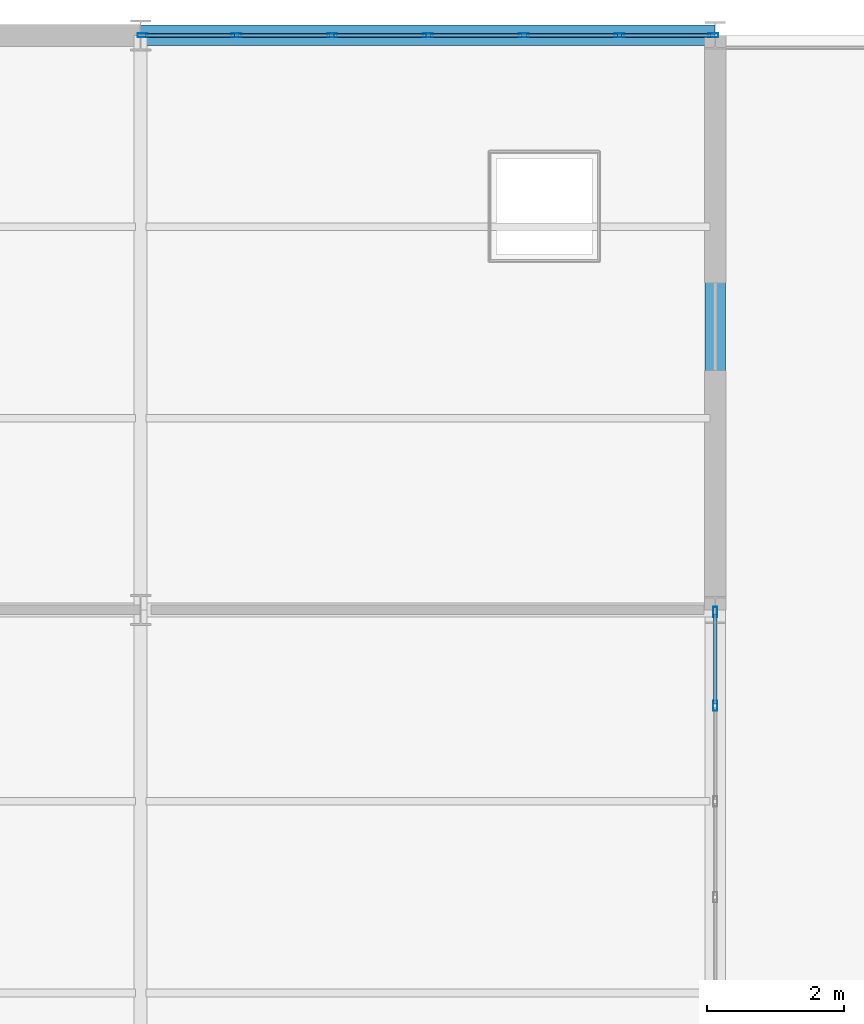
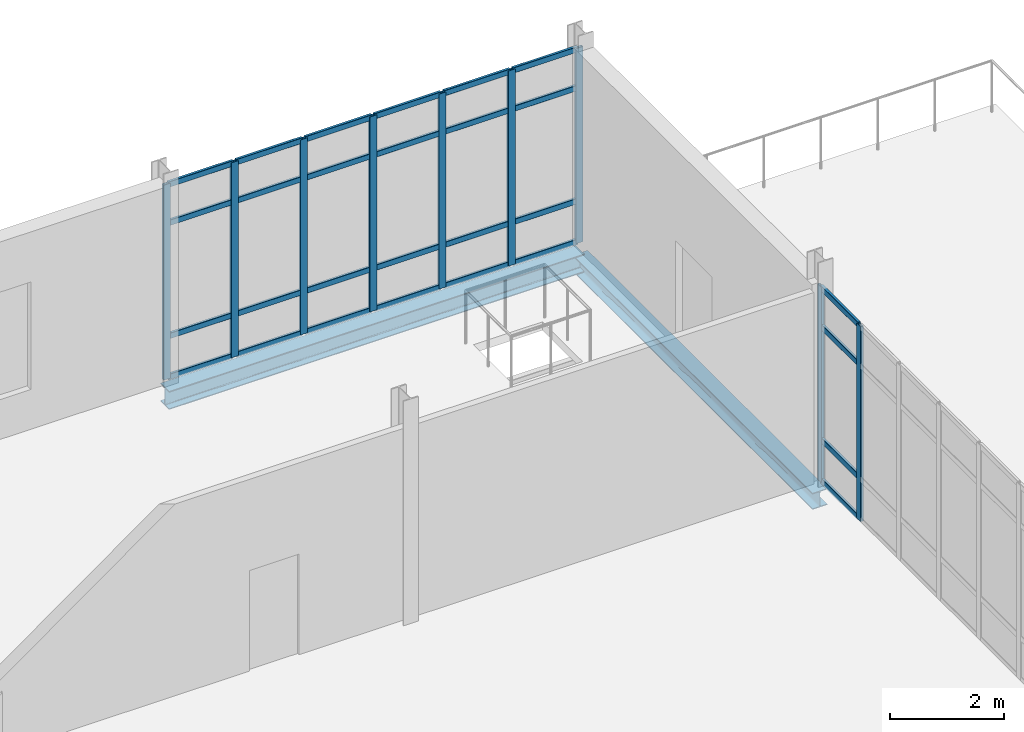
# One storey, part 20 of 28: 37 members, 2 beams, 2 elements without a shape of their own.
"""IFC4 building model written with IfcOpenShell, lengths in metres."""

from ifc_helpers import new_model, si_unit, direction, frame, origin, origin_2d, place, context, subcontext, project, spatial, hollow_rectangle, i_section, extrude, material, layer, layer_set, material_profile, profile_set, type_object, element, aggregate, save


model = new_model("IFC4")

# Units and contexts
model_context = context("Model", 3, precision=1e-05, world=origin(), true_north=direction((0.0, 1.0)))
body_context = subcontext(model_context, "Body", "Model", "MODEL_VIEW")
ifc_project = project(units=[si_unit("LENGTHUNIT", "METRE"), si_unit("AREAUNIT", "SQUARE_METRE"), si_unit("VOLUMEUNIT", "CUBIC_METRE"), si_unit("PLANEANGLEUNIT", "RADIAN"), si_unit("MASSUNIT", "GRAM", prefix="KILO")], contexts=[model_context])

# Site, building, storey
site_placement = place(None, origin())
site = spatial("IfcSite", under=ifc_project, at=site_placement, CompositionType="ELEMENT")
building_placement = place(site_placement, origin())
building = spatial("IfcBuilding", under=site, at=building_placement, Name="Qalvenar Corner Mobility Hub", CompositionType="ELEMENT")
storey_placement = place(building_placement, frame((0.0, 0.0, 21.60009765625)))
storey = spatial("IfcBuildingStorey", under=building, at=storey_placement, Name="L05", CompositionType="ELEMENT", Elevation=21.60009765625)

# Beams
ifc_material_1 = material(Name="Steel S355", Category="steel")
ifc_material_profile_1 = material_profile(ifc_material_1, i_section(OverallWidth=0.300048828125, OverallDepth=0.35009765625, WebThickness=0.010009765625, FlangeThickness=0.017578125, FilletRadius=0.027099609375, at=origin_2d()), Name="HEA360")
ifc_profile_set_1 = profile_set([ifc_material_profile_1], Name="Steel S355")
beam_type_1 = type_object("IfcBeamType", Name="BM-SPN360", PredefinedType="SPANDREL", material=ifc_profile_set_1)
beam_1_placement = place(storey_placement, frame((42.0, 33.60009765625, -0.4169921875), z_axis=(0.0, 1.0, 0.0), x_axis=(-1.0, 0.0, 0.0)))
element("IfcBeam", 1, at=beam_1_placement, inside=storey, type_object=beam_type_1, Name="Primary Steel Girder GY-3004", PredefinedType="SPANDREL", context=body_context, shape_type="SweptSolid", body=[
    extrude(i_section(OverallWidth=0.300048828125, OverallDepth=0.35009765625, WebThickness=0.010009765625, FlangeThickness=0.017578125, FilletRadius=0.027099609375, at=origin_2d()), origin(), (0.0, 0.0, 1.0), 8.39990234375),
])
ifc_material_profile_2 = material_profile(ifc_material_1, i_section(OverallWidth=0.300048828125, OverallDepth=0.389892578125, WebThickness=0.010986328125, FlangeThickness=0.01904296875, FilletRadius=0.027099609375, at=origin_2d()), Name="HEA400")
ifc_profile_set_2 = profile_set([ifc_material_profile_2], Name="Steel S355")
beam_type_2 = type_object("IfcBeamType", Name="BM-SPN400", PredefinedType="SPANDREL", material=ifc_profile_set_2)
beam_2_placement = place(storey_placement, frame((33.60009765625, 42.0, -0.375), z_axis=(1.0, 0.0, 0.0), x_axis=(0.0, 1.0, 0.0)))
element("IfcBeam", 2, at=beam_2_placement, inside=storey, type_object=beam_type_2, Name="Primary Steel Girder GX-2974", PredefinedType="SPANDREL", context=body_context, shape_type="SweptSolid", body=[
    extrude(i_section(OverallWidth=0.300048828125, OverallDepth=0.389892578125, WebThickness=0.010986328125, FlangeThickness=0.01904296875, FilletRadius=0.027099609375, at=origin_2d()), origin(), (0.0, 0.0, 1.0), 8.39990234375),
])

# Curtain wall, members
ifc_material_2 = material(Name="Anodised Aluminium and Low-E Glazing", Category="aluminium")
ifc_layer_1 = layer(ifc_material_2, 0.14990234375)
ifc_layer_set_1 = layer_set([ifc_layer_1], Name="Anodised Aluminium and Low-E Glazing")
curtain_wall_type_1 = type_object("IfcCurtainWallType", Name="CW-CIV-84X40", PredefinedType="NOTDEFINED", material=ifc_layer_set_1)
curtain_wall_1_placement = place(storey_placement, origin())
curtain_wall_1 = element("IfcCurtainWall", 3, at=curtain_wall_1_placement, inside=storey, type_object=curtain_wall_type_1, Name="Glazed Curtain Wall CW-V3-L05-N4", PredefinedType="NOTDEFINED")
ifc_material_3 = material(Name="Anodised Aluminium 6063-T6", Category="aluminium")
ifc_material_profile_3 = material_profile(ifc_material_3, hollow_rectangle(XDim=0.06005859375, YDim=0.14990234375, WallThickness=0.00390625, InnerFilletRadius=0.00390625, OuterFilletRadius=0.008056640625, at=origin_2d()), Name="RHS150x60x4")
ifc_profile_set_3 = profile_set([ifc_material_profile_3], Name="Anodised Aluminium 6063-T6")
member_type_1 = type_object("IfcMemberType", Name="CW-MUL150", PredefinedType="MULLION", material=ifc_profile_set_3)
member_1_placement = place(storey_placement, frame((41.969970703125, 42.0, 0.0), z_axis=(0.0, 0.0, 1.0), x_axis=(0.0, -1.0, 0.0)))
member_1 = element("IfcMember", 4, at=member_1_placement, type_object=member_type_1, Name="CW-05 mullion 1", PredefinedType="MULLION", context=body_context, shape_type="SweptSolid", body=[
    extrude(hollow_rectangle(XDim=0.06005859375, YDim=0.14990234375, WallThickness=0.00390625, InnerFilletRadius=0.00390625, OuterFilletRadius=0.008056640625, at=origin_2d()), origin(), (0.0, 0.0, 1.0), 4.169921875),
])
member_2_placement = place(storey_placement, frame((40.60009765625, 42.0, 0.0), z_axis=(0.0, 0.0, 1.0), x_axis=(0.0, -1.0, 0.0)))
member_2 = element("IfcMember", 5, at=member_2_placement, type_object=member_type_1, Name="CW-05 mullion 2", PredefinedType="MULLION", context=body_context, shape_type="SweptSolid", body=[
    extrude(hollow_rectangle(XDim=0.06005859375, YDim=0.14990234375, WallThickness=0.00390625, InnerFilletRadius=0.00390625, OuterFilletRadius=0.008056640625, at=origin_2d()), origin(), (0.0, 0.0, 1.0), 4.169921875),
])
member_3_placement = place(storey_placement, frame((39.199951171875, 42.0, 0.0), z_axis=(0.0, 0.0, 1.0), x_axis=(0.0, -1.0, 0.0)))
member_3 = element("IfcMember", 6, at=member_3_placement, type_object=member_type_1, Name="CW-05 mullion 3", PredefinedType="MULLION", context=body_context, shape_type="SweptSolid", body=[
    extrude(hollow_rectangle(XDim=0.06005859375, YDim=0.14990234375, WallThickness=0.00390625, InnerFilletRadius=0.00390625, OuterFilletRadius=0.008056640625, at=origin_2d()), origin(), (0.0, 0.0, 1.0), 4.169921875),
])
member_4_placement = place(storey_placement, frame((37.800048828125, 42.0, 0.0), z_axis=(0.0, 0.0, 1.0), x_axis=(0.0, -1.0, 0.0)))
member_4 = element("IfcMember", 7, at=member_4_placement, type_object=member_type_1, Name="CW-05 mullion 4", PredefinedType="MULLION", context=body_context, shape_type="SweptSolid", body=[
    extrude(hollow_rectangle(XDim=0.06005859375, YDim=0.14990234375, WallThickness=0.00390625, InnerFilletRadius=0.00390625, OuterFilletRadius=0.008056640625, at=origin_2d()), origin(), (0.0, 0.0, 1.0), 4.169921875),
])
member_5_placement = place(storey_placement, frame((36.39990234375, 42.0, 0.0), z_axis=(0.0, 0.0, 1.0), x_axis=(0.0, -1.0, 0.0)))
member_5 = element("IfcMember", 8, at=member_5_placement, type_object=member_type_1, Name="CW-05 mullion 5", PredefinedType="MULLION", context=body_context, shape_type="SweptSolid", body=[
    extrude(hollow_rectangle(XDim=0.06005859375, YDim=0.14990234375, WallThickness=0.00390625, InnerFilletRadius=0.00390625, OuterFilletRadius=0.008056640625, at=origin_2d()), origin(), (0.0, 0.0, 1.0), 4.169921875),
])
member_6_placement = place(storey_placement, frame((35.0, 42.0, 0.0), z_axis=(0.0, 0.0, 1.0), x_axis=(0.0, -1.0, 0.0)))
member_6 = element("IfcMember", 9, at=member_6_placement, type_object=member_type_1, Name="CW-05 mullion 6", PredefinedType="MULLION", context=body_context, shape_type="SweptSolid", body=[
    extrude(hollow_rectangle(XDim=0.06005859375, YDim=0.14990234375, WallThickness=0.00390625, InnerFilletRadius=0.00390625, OuterFilletRadius=0.008056640625, at=origin_2d()), origin(), (0.0, 0.0, 1.0), 4.169921875),
])
member_7_placement = place(storey_placement, frame((33.6298828125, 42.0, 0.0), z_axis=(0.0, 0.0, 1.0), x_axis=(0.0, -1.0, 0.0)))
member_7 = element("IfcMember", 10, at=member_7_placement, type_object=member_type_1, Name="CW-05 mullion 7", PredefinedType="MULLION", context=body_context, shape_type="SweptSolid", body=[
    extrude(hollow_rectangle(XDim=0.06005859375, YDim=0.14990234375, WallThickness=0.00390625, InnerFilletRadius=0.00390625, OuterFilletRadius=0.008056640625, at=origin_2d()), origin(), (0.0, 0.0, 1.0), 4.169921875),
])

ifc_layer_2 = layer(ifc_material_2, 0.14990234375)
ifc_layer_set_2 = layer_set([ifc_layer_2], Name="Anodised Aluminium and Low-E Glazing")
curtain_wall_type_2 = type_object("IfcCurtainWallType", Name="CW-SPT-84X44", PredefinedType="NOTDEFINED", material=ifc_layer_set_2)
curtain_wall_2_placement = place(storey_placement, origin())
curtain_wall_2 = element("IfcCurtainWall", 11, at=curtain_wall_2_placement, inside=storey, type_object=curtain_wall_type_2, Name="Glazed Curtain Wall CW-V3-L05-E3", PredefinedType="NOTDEFINED")
member_8_placement = place(storey_placement, frame((42.0, 32.199951171875, 0.0), z_axis=(0.0, 0.0, 1.0), x_axis=(-1.0, 0.0, 0.0)))
member_8 = element("IfcMember", 12, at=member_8_placement, type_object=member_type_1, Name="CW-06 mullion 6", PredefinedType="MULLION", context=body_context, shape_type="SweptSolid", body=[
    extrude(hollow_rectangle(XDim=0.06005859375, YDim=0.14990234375, WallThickness=0.00390625, InnerFilletRadius=0.00390625, OuterFilletRadius=0.008056640625, at=origin_2d()), origin(), (0.0, 0.0, 1.0), 4.169921875),
])
member_9_placement = place(storey_placement, frame((42.0, 33.570068359375, 0.0), z_axis=(0.0, 0.0, 1.0), x_axis=(-1.0, 0.0, 0.0)))
member_9 = element("IfcMember", 13, at=member_9_placement, type_object=member_type_1, Name="CW-06 mullion 7", PredefinedType="MULLION", context=body_context, shape_type="SweptSolid", body=[
    extrude(hollow_rectangle(XDim=0.06005859375, YDim=0.14990234375, WallThickness=0.00390625, InnerFilletRadius=0.00390625, OuterFilletRadius=0.008056640625, at=origin_2d()), origin(), (0.0, 0.0, 1.0), 4.169921875),
])

# Member
ifc_material_profile_4 = material_profile(ifc_material_3, hollow_rectangle(XDim=0.054931640625, YDim=0.1201171875, WallThickness=0.00341796875, InnerFilletRadius=0.00341796875, OuterFilletRadius=0.007080078125, at=origin_2d()), Name="RHS120x55x3.5")
ifc_profile_set_4 = profile_set([ifc_material_profile_4], Name="Anodised Aluminium 6063-T6")
member_type_2 = type_object("IfcMemberType", Name="CW-TRN120", PredefinedType="USERDEFINED", material=ifc_profile_set_4)
member_10_placement = place(storey_placement, frame((41.93994140625, 42.0, 0.02734375), z_axis=(-1.0, 0.0, 0.0), x_axis=(0.0, -1.0, 0.0)))
member_10 = element("IfcMember", 14, at=member_10_placement, type_object=member_type_2, Name="CW-05 transom 1.1", ObjectType="TRANSOM", PredefinedType="USERDEFINED", context=body_context, shape_type="SweptSolid", body=[
    extrude(hollow_rectangle(XDim=0.054931640625, YDim=0.1201171875, WallThickness=0.00341796875, InnerFilletRadius=0.00341796875, OuterFilletRadius=0.007080078125, at=origin_2d()), origin(), (0.0, 0.0, 1.0), 1.31005859375),
])

member_11_placement = place(storey_placement, frame((41.93994140625, 42.0, 0.89990234375), z_axis=(-1.0, 0.0, 0.0), x_axis=(0.0, -1.0, 0.0)))
member_11 = element("IfcMember", 15, at=member_11_placement, type_object=member_type_2, Name="CW-05 transom 1.2", ObjectType="TRANSOM", PredefinedType="USERDEFINED", context=body_context, shape_type="SweptSolid", body=[
    extrude(hollow_rectangle(XDim=0.054931640625, YDim=0.1201171875, WallThickness=0.00341796875, InnerFilletRadius=0.00341796875, OuterFilletRadius=0.007080078125, at=origin_2d()), origin(), (0.0, 0.0, 1.0), 1.31005859375),
])

member_12_placement = place(storey_placement, frame((41.93994140625, 42.0, 3.31982421875), z_axis=(-1.0, 0.0, 0.0), x_axis=(0.0, -1.0, 0.0)))
member_12 = element("IfcMember", 16, at=member_12_placement, type_object=member_type_2, Name="CW-05 transom 1.3", ObjectType="TRANSOM", PredefinedType="USERDEFINED", context=body_context, shape_type="SweptSolid", body=[
    extrude(hollow_rectangle(XDim=0.054931640625, YDim=0.1201171875, WallThickness=0.00341796875, InnerFilletRadius=0.00341796875, OuterFilletRadius=0.007080078125, at=origin_2d()), origin(), (0.0, 0.0, 1.0), 1.31005859375),
])

member_13_placement = place(storey_placement, frame((41.93994140625, 42.0, 4.142333984375), z_axis=(-1.0, 0.0, 0.0), x_axis=(0.0, -1.0, 0.0)))
member_13 = element("IfcMember", 17, at=member_13_placement, type_object=member_type_2, Name="CW-05 transom 1.4", ObjectType="TRANSOM", PredefinedType="USERDEFINED", context=body_context, shape_type="SweptSolid", body=[
    extrude(hollow_rectangle(XDim=0.054931640625, YDim=0.1201171875, WallThickness=0.00341796875, InnerFilletRadius=0.00341796875, OuterFilletRadius=0.007080078125, at=origin_2d()), origin(), (0.0, 0.0, 1.0), 1.31005859375),
])

member_14_placement = place(storey_placement, frame((40.570068359375, 42.0, 0.02734375), z_axis=(-1.0, 0.0, 0.0), x_axis=(0.0, -1.0, 0.0)))
member_14 = element("IfcMember", 18, at=member_14_placement, type_object=member_type_2, Name="CW-05 transom 2.1", ObjectType="TRANSOM", PredefinedType="USERDEFINED", context=body_context, shape_type="SweptSolid", body=[
    extrude(hollow_rectangle(XDim=0.054931640625, YDim=0.1201171875, WallThickness=0.00341796875, InnerFilletRadius=0.00341796875, OuterFilletRadius=0.007080078125, at=origin_2d()), origin(), (0.0, 0.0, 1.0), 1.340087890625),
])

member_15_placement = place(storey_placement, frame((40.570068359375, 42.0, 0.89990234375), z_axis=(-1.0, 0.0, 0.0), x_axis=(0.0, -1.0, 0.0)))
member_15 = element("IfcMember", 19, at=member_15_placement, type_object=member_type_2, Name="CW-05 transom 2.2", ObjectType="TRANSOM", PredefinedType="USERDEFINED", context=body_context, shape_type="SweptSolid", body=[
    extrude(hollow_rectangle(XDim=0.054931640625, YDim=0.1201171875, WallThickness=0.00341796875, InnerFilletRadius=0.00341796875, OuterFilletRadius=0.007080078125, at=origin_2d()), origin(), (0.0, 0.0, 1.0), 1.340087890625),
])

member_16_placement = place(storey_placement, frame((40.570068359375, 42.0, 3.31982421875), z_axis=(-1.0, 0.0, 0.0), x_axis=(0.0, -1.0, 0.0)))
member_16 = element("IfcMember", 20, at=member_16_placement, type_object=member_type_2, Name="CW-05 transom 2.3", ObjectType="TRANSOM", PredefinedType="USERDEFINED", context=body_context, shape_type="SweptSolid", body=[
    extrude(hollow_rectangle(XDim=0.054931640625, YDim=0.1201171875, WallThickness=0.00341796875, InnerFilletRadius=0.00341796875, OuterFilletRadius=0.007080078125, at=origin_2d()), origin(), (0.0, 0.0, 1.0), 1.340087890625),
])

member_17_placement = place(storey_placement, frame((40.570068359375, 42.0, 4.142333984375), z_axis=(-1.0, 0.0, 0.0), x_axis=(0.0, -1.0, 0.0)))
member_17 = element("IfcMember", 21, at=member_17_placement, type_object=member_type_2, Name="CW-05 transom 2.4", ObjectType="TRANSOM", PredefinedType="USERDEFINED", context=body_context, shape_type="SweptSolid", body=[
    extrude(hollow_rectangle(XDim=0.054931640625, YDim=0.1201171875, WallThickness=0.00341796875, InnerFilletRadius=0.00341796875, OuterFilletRadius=0.007080078125, at=origin_2d()), origin(), (0.0, 0.0, 1.0), 1.340087890625),
])

member_18_placement = place(storey_placement, frame((39.169921875, 42.0, 0.02734375), z_axis=(-1.0, 0.0, 0.0), x_axis=(0.0, -1.0, 0.0)))
member_18 = element("IfcMember", 22, at=member_18_placement, type_object=member_type_2, Name="CW-05 transom 3.1", ObjectType="TRANSOM", PredefinedType="USERDEFINED", context=body_context, shape_type="SweptSolid", body=[
    extrude(hollow_rectangle(XDim=0.054931640625, YDim=0.1201171875, WallThickness=0.00341796875, InnerFilletRadius=0.00341796875, OuterFilletRadius=0.007080078125, at=origin_2d()), origin(), (0.0, 0.0, 1.0), 1.33984375),
])

member_19_placement = place(storey_placement, frame((39.169921875, 42.0, 0.89990234375), z_axis=(-1.0, 0.0, 0.0), x_axis=(0.0, -1.0, 0.0)))
member_19 = element("IfcMember", 23, at=member_19_placement, type_object=member_type_2, Name="CW-05 transom 3.2", ObjectType="TRANSOM", PredefinedType="USERDEFINED", context=body_context, shape_type="SweptSolid", body=[
    extrude(hollow_rectangle(XDim=0.054931640625, YDim=0.1201171875, WallThickness=0.00341796875, InnerFilletRadius=0.00341796875, OuterFilletRadius=0.007080078125, at=origin_2d()), origin(), (0.0, 0.0, 1.0), 1.33984375),
])

member_20_placement = place(storey_placement, frame((39.169921875, 42.0, 3.31982421875), z_axis=(-1.0, 0.0, 0.0), x_axis=(0.0, -1.0, 0.0)))
member_20 = element("IfcMember", 24, at=member_20_placement, type_object=member_type_2, Name="CW-05 transom 3.3", ObjectType="TRANSOM", PredefinedType="USERDEFINED", context=body_context, shape_type="SweptSolid", body=[
    extrude(hollow_rectangle(XDim=0.054931640625, YDim=0.1201171875, WallThickness=0.00341796875, InnerFilletRadius=0.00341796875, OuterFilletRadius=0.007080078125, at=origin_2d()), origin(), (0.0, 0.0, 1.0), 1.33984375),
])

member_21_placement = place(storey_placement, frame((39.169921875, 42.0, 4.142333984375), z_axis=(-1.0, 0.0, 0.0), x_axis=(0.0, -1.0, 0.0)))
member_21 = element("IfcMember", 25, at=member_21_placement, type_object=member_type_2, Name="CW-05 transom 3.4", ObjectType="TRANSOM", PredefinedType="USERDEFINED", context=body_context, shape_type="SweptSolid", body=[
    extrude(hollow_rectangle(XDim=0.054931640625, YDim=0.1201171875, WallThickness=0.00341796875, InnerFilletRadius=0.00341796875, OuterFilletRadius=0.007080078125, at=origin_2d()), origin(), (0.0, 0.0, 1.0), 1.33984375),
])

member_22_placement = place(storey_placement, frame((37.77001953125, 42.0, 0.02734375), z_axis=(-1.0, 0.0, 0.0), x_axis=(0.0, -1.0, 0.0)))
member_22 = element("IfcMember", 26, at=member_22_placement, type_object=member_type_2, Name="CW-05 transom 4.1", ObjectType="TRANSOM", PredefinedType="USERDEFINED", context=body_context, shape_type="SweptSolid", body=[
    extrude(hollow_rectangle(XDim=0.054931640625, YDim=0.1201171875, WallThickness=0.00341796875, InnerFilletRadius=0.00341796875, OuterFilletRadius=0.007080078125, at=origin_2d()), origin(), (0.0, 0.0, 1.0), 1.340087890625),
])

member_23_placement = place(storey_placement, frame((37.77001953125, 42.0, 0.89990234375), z_axis=(-1.0, 0.0, 0.0), x_axis=(0.0, -1.0, 0.0)))
member_23 = element("IfcMember", 27, at=member_23_placement, type_object=member_type_2, Name="CW-05 transom 4.2", ObjectType="TRANSOM", PredefinedType="USERDEFINED", context=body_context, shape_type="SweptSolid", body=[
    extrude(hollow_rectangle(XDim=0.054931640625, YDim=0.1201171875, WallThickness=0.00341796875, InnerFilletRadius=0.00341796875, OuterFilletRadius=0.007080078125, at=origin_2d()), origin(), (0.0, 0.0, 1.0), 1.340087890625),
])

member_24_placement = place(storey_placement, frame((37.77001953125, 42.0, 3.31982421875), z_axis=(-1.0, 0.0, 0.0), x_axis=(0.0, -1.0, 0.0)))
member_24 = element("IfcMember", 28, at=member_24_placement, type_object=member_type_2, Name="CW-05 transom 4.3", ObjectType="TRANSOM", PredefinedType="USERDEFINED", context=body_context, shape_type="SweptSolid", body=[
    extrude(hollow_rectangle(XDim=0.054931640625, YDim=0.1201171875, WallThickness=0.00341796875, InnerFilletRadius=0.00341796875, OuterFilletRadius=0.007080078125, at=origin_2d()), origin(), (0.0, 0.0, 1.0), 1.340087890625),
])

member_25_placement = place(storey_placement, frame((37.77001953125, 42.0, 4.142333984375), z_axis=(-1.0, 0.0, 0.0), x_axis=(0.0, -1.0, 0.0)))
member_25 = element("IfcMember", 29, at=member_25_placement, type_object=member_type_2, Name="CW-05 transom 4.4", ObjectType="TRANSOM", PredefinedType="USERDEFINED", context=body_context, shape_type="SweptSolid", body=[
    extrude(hollow_rectangle(XDim=0.054931640625, YDim=0.1201171875, WallThickness=0.00341796875, InnerFilletRadius=0.00341796875, OuterFilletRadius=0.007080078125, at=origin_2d()), origin(), (0.0, 0.0, 1.0), 1.340087890625),
])

member_26_placement = place(storey_placement, frame((36.3701171875, 42.0, 0.02734375), z_axis=(-1.0, 0.0, 0.0), x_axis=(0.0, -1.0, 0.0)))
member_26 = element("IfcMember", 30, at=member_26_placement, type_object=member_type_2, Name="CW-05 transom 5.1", ObjectType="TRANSOM", PredefinedType="USERDEFINED", context=body_context, shape_type="SweptSolid", body=[
    extrude(hollow_rectangle(XDim=0.054931640625, YDim=0.1201171875, WallThickness=0.00341796875, InnerFilletRadius=0.00341796875, OuterFilletRadius=0.007080078125, at=origin_2d()), origin(), (0.0, 0.0, 1.0), 1.340087890625),
])

member_27_placement = place(storey_placement, frame((36.3701171875, 42.0, 0.89990234375), z_axis=(-1.0, 0.0, 0.0), x_axis=(0.0, -1.0, 0.0)))
member_27 = element("IfcMember", 31, at=member_27_placement, type_object=member_type_2, Name="CW-05 transom 5.2", ObjectType="TRANSOM", PredefinedType="USERDEFINED", context=body_context, shape_type="SweptSolid", body=[
    extrude(hollow_rectangle(XDim=0.054931640625, YDim=0.1201171875, WallThickness=0.00341796875, InnerFilletRadius=0.00341796875, OuterFilletRadius=0.007080078125, at=origin_2d()), origin(), (0.0, 0.0, 1.0), 1.340087890625),
])

member_28_placement = place(storey_placement, frame((36.3701171875, 42.0, 3.31982421875), z_axis=(-1.0, 0.0, 0.0), x_axis=(0.0, -1.0, 0.0)))
member_28 = element("IfcMember", 32, at=member_28_placement, type_object=member_type_2, Name="CW-05 transom 5.3", ObjectType="TRANSOM", PredefinedType="USERDEFINED", context=body_context, shape_type="SweptSolid", body=[
    extrude(hollow_rectangle(XDim=0.054931640625, YDim=0.1201171875, WallThickness=0.00341796875, InnerFilletRadius=0.00341796875, OuterFilletRadius=0.007080078125, at=origin_2d()), origin(), (0.0, 0.0, 1.0), 1.340087890625),
])

member_29_placement = place(storey_placement, frame((36.3701171875, 42.0, 4.142333984375), z_axis=(-1.0, 0.0, 0.0), x_axis=(0.0, -1.0, 0.0)))
member_29 = element("IfcMember", 33, at=member_29_placement, type_object=member_type_2, Name="CW-05 transom 5.4", ObjectType="TRANSOM", PredefinedType="USERDEFINED", context=body_context, shape_type="SweptSolid", body=[
    extrude(hollow_rectangle(XDim=0.054931640625, YDim=0.1201171875, WallThickness=0.00341796875, InnerFilletRadius=0.00341796875, OuterFilletRadius=0.007080078125, at=origin_2d()), origin(), (0.0, 0.0, 1.0), 1.340087890625),
])

member_30_placement = place(storey_placement, frame((34.969970703125, 42.0, 0.02734375), z_axis=(-1.0, 0.0, 0.0), x_axis=(0.0, -1.0, 0.0)))
member_30 = element("IfcMember", 34, at=member_30_placement, type_object=member_type_2, Name="CW-05 transom 6.1", ObjectType="TRANSOM", PredefinedType="USERDEFINED", context=body_context, shape_type="SweptSolid", body=[
    extrude(hollow_rectangle(XDim=0.054931640625, YDim=0.1201171875, WallThickness=0.00341796875, InnerFilletRadius=0.00341796875, OuterFilletRadius=0.007080078125, at=origin_2d()), origin(), (0.0, 0.0, 1.0), 1.31005859375),
])

member_31_placement = place(storey_placement, frame((34.969970703125, 42.0, 0.89990234375), z_axis=(-1.0, 0.0, 0.0), x_axis=(0.0, -1.0, 0.0)))
member_31 = element("IfcMember", 35, at=member_31_placement, type_object=member_type_2, Name="CW-05 transom 6.2", ObjectType="TRANSOM", PredefinedType="USERDEFINED", context=body_context, shape_type="SweptSolid", body=[
    extrude(hollow_rectangle(XDim=0.054931640625, YDim=0.1201171875, WallThickness=0.00341796875, InnerFilletRadius=0.00341796875, OuterFilletRadius=0.007080078125, at=origin_2d()), origin(), (0.0, 0.0, 1.0), 1.31005859375),
])

member_32_placement = place(storey_placement, frame((34.969970703125, 42.0, 3.31982421875), z_axis=(-1.0, 0.0, 0.0), x_axis=(0.0, -1.0, 0.0)))
member_32 = element("IfcMember", 36, at=member_32_placement, type_object=member_type_2, Name="CW-05 transom 6.3", ObjectType="TRANSOM", PredefinedType="USERDEFINED", context=body_context, shape_type="SweptSolid", body=[
    extrude(hollow_rectangle(XDim=0.054931640625, YDim=0.1201171875, WallThickness=0.00341796875, InnerFilletRadius=0.00341796875, OuterFilletRadius=0.007080078125, at=origin_2d()), origin(), (0.0, 0.0, 1.0), 1.31005859375),
])

member_33_placement = place(storey_placement, frame((34.969970703125, 42.0, 4.142333984375), z_axis=(-1.0, 0.0, 0.0), x_axis=(0.0, -1.0, 0.0)))
member_33 = element("IfcMember", 37, at=member_33_placement, type_object=member_type_2, Name="CW-05 transom 6.4", ObjectType="TRANSOM", PredefinedType="USERDEFINED", context=body_context, shape_type="SweptSolid", body=[
    extrude(hollow_rectangle(XDim=0.054931640625, YDim=0.1201171875, WallThickness=0.00341796875, InnerFilletRadius=0.00341796875, OuterFilletRadius=0.007080078125, at=origin_2d()), origin(), (0.0, 0.0, 1.0), 1.31005859375),
])

aggregate(curtain_wall_1, [member_1, member_2, member_3, member_4, member_5, member_6, member_7, member_10, member_11, member_12, member_13, member_14, member_15, member_16, member_17, member_18, member_19, member_20, member_21, member_22, member_23, member_24, member_25, member_26, member_27, member_28, member_29, member_30, member_31, member_32, member_33])

member_34_placement = place(storey_placement, frame((42.0, 32.22998046875, 0.02734375), z_axis=(0.0, 1.0, 0.0), x_axis=(-1.0, 0.0, 0.0)))
member_34 = element("IfcMember", 38, at=member_34_placement, type_object=member_type_2, Name="CW-06 transom 6.1", ObjectType="TRANSOM", PredefinedType="USERDEFINED", context=body_context, shape_type="SweptSolid", body=[
    extrude(hollow_rectangle(XDim=0.054931640625, YDim=0.1201171875, WallThickness=0.00341796875, InnerFilletRadius=0.00341796875, OuterFilletRadius=0.007080078125, at=origin_2d()), origin(), (0.0, 0.0, 1.0), 1.31005859375),
])

member_35_placement = place(storey_placement, frame((42.0, 32.22998046875, 0.89990234375), z_axis=(0.0, 1.0, 0.0), x_axis=(-1.0, 0.0, 0.0)))
member_35 = element("IfcMember", 39, at=member_35_placement, type_object=member_type_2, Name="CW-06 transom 6.2", ObjectType="TRANSOM", PredefinedType="USERDEFINED", context=body_context, shape_type="SweptSolid", body=[
    extrude(hollow_rectangle(XDim=0.054931640625, YDim=0.1201171875, WallThickness=0.00341796875, InnerFilletRadius=0.00341796875, OuterFilletRadius=0.007080078125, at=origin_2d()), origin(), (0.0, 0.0, 1.0), 1.31005859375),
])

member_36_placement = place(storey_placement, frame((42.0, 32.22998046875, 3.31982421875), z_axis=(0.0, 1.0, 0.0), x_axis=(-1.0, 0.0, 0.0)))
member_36 = element("IfcMember", 40, at=member_36_placement, type_object=member_type_2, Name="CW-06 transom 6.3", ObjectType="TRANSOM", PredefinedType="USERDEFINED", context=body_context, shape_type="SweptSolid", body=[
    extrude(hollow_rectangle(XDim=0.054931640625, YDim=0.1201171875, WallThickness=0.00341796875, InnerFilletRadius=0.00341796875, OuterFilletRadius=0.007080078125, at=origin_2d()), origin(), (0.0, 0.0, 1.0), 1.31005859375),
])

member_37_placement = place(storey_placement, frame((42.0, 32.22998046875, 4.142333984375), z_axis=(0.0, 1.0, 0.0), x_axis=(-1.0, 0.0, 0.0)))
member_37 = element("IfcMember", 41, at=member_37_placement, type_object=member_type_2, Name="CW-06 transom 6.4", ObjectType="TRANSOM", PredefinedType="USERDEFINED", context=body_context, shape_type="SweptSolid", body=[
    extrude(hollow_rectangle(XDim=0.054931640625, YDim=0.1201171875, WallThickness=0.00341796875, InnerFilletRadius=0.00341796875, OuterFilletRadius=0.007080078125, at=origin_2d()), origin(), (0.0, 0.0, 1.0), 1.31005859375),
])

aggregate(curtain_wall_2, [member_8, member_9, member_34, member_35, member_36, member_37])

save(model, "model.ifc")
